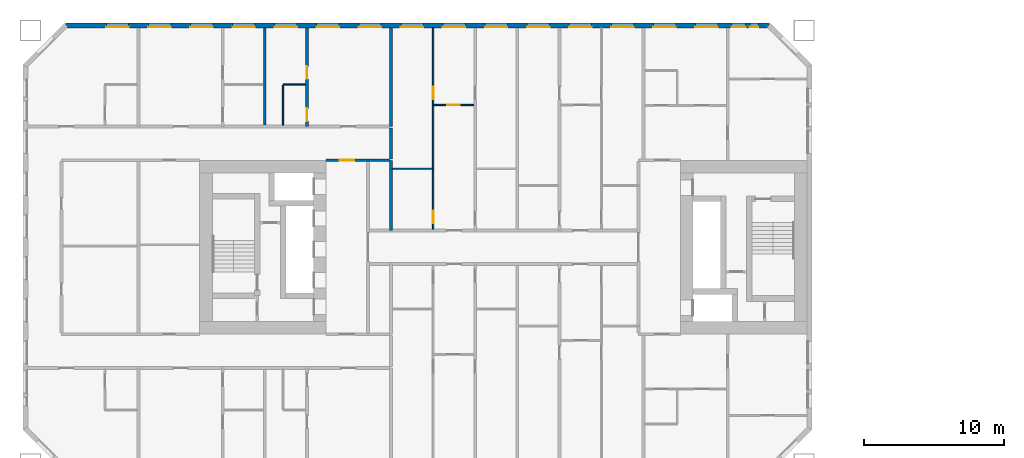
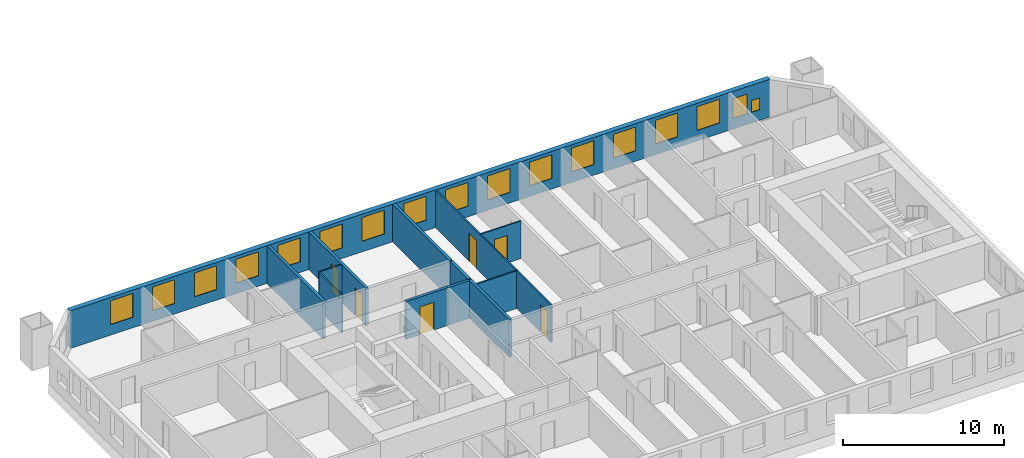
# One storey, part 5 of 16: 17 windows, 13 walls, 6 doors, 23 openings.
"""IFC4 building model written with IfcOpenShell, lengths in metres."""

from ifc_helpers import new_model, si_unit, direction, frame, frame_2d, origin, place, context, subcontext, project, spatial, rectangle, extrude, material, layer, layer_set, type_object, element, fill, save


model = new_model("IFC4")

# Units and contexts
model_context = context("Model", 3, precision=1e-05, world=origin(), true_north=direction((0.0, 1.0)))
body_context = subcontext(model_context, "Body", "Model", "MODEL_VIEW")
ifc_project = project(units=[si_unit("LENGTHUNIT", "METRE"), si_unit("AREAUNIT", "SQUARE_METRE"), si_unit("VOLUMEUNIT", "CUBIC_METRE"), si_unit("PLANEANGLEUNIT", "RADIAN"), si_unit("MASSUNIT", "GRAM", prefix="KILO")], contexts=[model_context])

# Site, building, storey
site_placement = place(None, origin())
site = spatial("IfcSite", under=ifc_project, at=site_placement, CompositionType="ELEMENT")
building_placement = place(site_placement, origin())
building = spatial("IfcBuilding", under=site, at=building_placement, Name="Tuart Gate Housing", CompositionType="ELEMENT")
storey_placement = place(building_placement, frame((0.0, 0.0, 19.5)))
storey = spatial("IfcBuildingStorey", under=building, at=storey_placement, Name="L04", CompositionType="ELEMENT", Elevation=19.5)

# Wall, openings, windows
ifc_material_1 = material(Name="Brick", Category="masonry")
ifc_layer_1 = layer(ifc_material_1, 0.360107421875)
ifc_layer_set_1 = layer_set([ifc_layer_1], Name="Brick pier and spandrel wall 360")
wall_type_1 = type_object("IfcWallType", Name="Brick pier and spandrel wall 360", PredefinedType="STANDARD", material=ifc_layer_set_1)
wall_1_placement = place(storey_placement, frame((72.92529296875, 85.820068359375, 0.0), z_axis=(0.0, 0.0, 1.0), x_axis=(-1.0, 0.0, 0.0)))
wall_1 = element("IfcWall", 1, at=wall_1_placement, inside=storey, type_object=wall_type_1, Name="External wall A-N L04", PredefinedType="STANDARD", context=body_context, shape_type="SweptSolid", body=[
    extrude(rectangle(XDim=50.100830078125, YDim=0.360107421875, at=frame_2d((25.05029296875, 0.0))), origin(), (0.0, 0.0, 1.0), 2.85009765625),
])
opening_1_placement = place(wall_1_placement, frame((0.75, 0.0, 0.800048828125)))
opening_1 = element("IfcOpeningElement", 2, at=opening_1_placement, cuts=wall_1, Name="Opening W1W", PredefinedType="OPENING", context=body_context, shape_type="SweptSolid", body=[
    extrude(rectangle(XDim=0.60009765625, YDim=0.89990234375, at=frame_2d((0.300048828125, 0.449951171875))), frame((0.0, 0.18994140625, 0.0), z_axis=(0.0, -1.0, 0.0), x_axis=(1.0, 0.0, 0.0)), (0.0, 0.0, 1.0), 0.380126953125),
])
opening_2_placement = place(wall_1_placement, frame((3.62548828125, 0.0, 0.800048828125)))
opening_2 = element("IfcOpeningElement", 3, at=opening_2_placement, cuts=wall_1, Name="Opening W1", PredefinedType="OPENING", context=body_context, shape_type="SweptSolid", body=[
    extrude(rectangle(XDim=1.60009765625, YDim=1.800048828125, at=frame_2d((0.800048828125, 0.89990234375))), frame((0.0, 0.18994140625, 0.0), z_axis=(0.0, -1.0, 0.0), x_axis=(1.0, 0.0, 0.0)), (0.0, 0.0, 1.0), 0.380126953125),
])
opening_3_placement = place(wall_1_placement, frame((6.62548828125, 0.0, 0.800048828125)))
opening_3 = element("IfcOpeningElement", 4, at=opening_3_placement, cuts=wall_1, Name="Opening W1", PredefinedType="OPENING", context=body_context, shape_type="SweptSolid", body=[
    extrude(rectangle(XDim=1.60009765625, YDim=1.800048828125, at=frame_2d((0.800048828125, 0.89990234375))), frame((0.0, 0.18994140625, 0.0), z_axis=(0.0, -1.0, 0.0), x_axis=(1.0, 0.0, 0.0)), (0.0, 0.0, 1.0), 0.380126953125),
])
opening_4_placement = place(wall_1_placement, frame((9.62548828125, 0.0, 0.800048828125)))
opening_4 = element("IfcOpeningElement", 5, at=opening_4_placement, cuts=wall_1, Name="Opening W1", PredefinedType="OPENING", context=body_context, shape_type="SweptSolid", body=[
    extrude(rectangle(XDim=1.60009765625, YDim=1.800048828125, at=frame_2d((0.800048828125, 0.89990234375))), frame((0.0, 0.18994140625, 0.0), z_axis=(0.0, -1.0, 0.0), x_axis=(1.0, 0.0, 0.0)), (0.0, 0.0, 1.0), 0.380126953125),
])
opening_5_placement = place(wall_1_placement, frame((12.62548828125, 0.0, 0.800048828125)))
opening_5 = element("IfcOpeningElement", 6, at=opening_5_placement, cuts=wall_1, Name="Opening W1", PredefinedType="OPENING", context=body_context, shape_type="SweptSolid", body=[
    extrude(rectangle(XDim=1.60009765625, YDim=1.800048828125, at=frame_2d((0.800048828125, 0.89990234375))), frame((0.0, 0.18994140625, 0.0), z_axis=(0.0, -1.0, 0.0), x_axis=(1.0, 0.0, 0.0)), (0.0, 0.0, 1.0), 0.380126953125),
])
opening_6_placement = place(wall_1_placement, frame((15.62548828125, 0.0, 0.800048828125)))
opening_6 = element("IfcOpeningElement", 7, at=opening_6_placement, cuts=wall_1, Name="Opening W1", PredefinedType="OPENING", context=body_context, shape_type="SweptSolid", body=[
    extrude(rectangle(XDim=1.60009765625, YDim=1.800048828125, at=frame_2d((0.800048828125, 0.89990234375))), frame((0.0, 0.18994140625, 0.0), z_axis=(0.0, -1.0, 0.0), x_axis=(1.0, 0.0, 0.0)), (0.0, 0.0, 1.0), 0.380126953125),
])
opening_7_placement = place(wall_1_placement, frame((18.62548828125, 0.0, 0.800048828125)))
opening_7 = element("IfcOpeningElement", 8, at=opening_7_placement, cuts=wall_1, Name="Opening W1", PredefinedType="OPENING", context=body_context, shape_type="SweptSolid", body=[
    extrude(rectangle(XDim=1.60009765625, YDim=1.800048828125, at=frame_2d((0.800048828125, 0.89990234375))), frame((0.0, 0.18994140625, 0.0), z_axis=(0.0, -1.0, 0.0), x_axis=(1.0, 0.0, 0.0)), (0.0, 0.0, 1.0), 0.380126953125),
])
opening_8_placement = place(wall_1_placement, frame((21.62548828125, 0.0, 0.800048828125)))
opening_8 = element("IfcOpeningElement", 9, at=opening_8_placement, cuts=wall_1, Name="Opening W1", PredefinedType="OPENING", context=body_context, shape_type="SweptSolid", body=[
    extrude(rectangle(XDim=1.60009765625, YDim=1.800048828125, at=frame_2d((0.800048828125, 0.89990234375))), frame((0.0, 0.18994140625, 0.0), z_axis=(0.0, -1.0, 0.0), x_axis=(1.0, 0.0, 0.0)), (0.0, 0.0, 1.0), 0.380126953125),
])
opening_9_placement = place(wall_1_placement, frame((24.62548828125, 0.0, 0.800048828125)))
opening_9 = element("IfcOpeningElement", 10, at=opening_9_placement, cuts=wall_1, Name="Opening W1", PredefinedType="OPENING", context=body_context, shape_type="SweptSolid", body=[
    extrude(rectangle(XDim=1.60009765625, YDim=1.800048828125, at=frame_2d((0.800048828125, 0.89990234375))), frame((0.0, 0.18994140625, 0.0), z_axis=(0.0, -1.0, 0.0), x_axis=(1.0, 0.0, 0.0)), (0.0, 0.0, 1.0), 0.380126953125),
])
opening_10_placement = place(wall_1_placement, frame((27.62548828125, 0.0, 0.800048828125)))
opening_10 = element("IfcOpeningElement", 11, at=opening_10_placement, cuts=wall_1, Name="Opening W1", PredefinedType="OPENING", context=body_context, shape_type="SweptSolid", body=[
    extrude(rectangle(XDim=1.60009765625, YDim=1.800048828125, at=frame_2d((0.800048828125, 0.89990234375))), frame((0.0, 0.18994140625, 0.0), z_axis=(0.0, -1.0, 0.0), x_axis=(1.0, 0.0, 0.0)), (0.0, 0.0, 1.0), 0.380126953125),
])
opening_11_placement = place(wall_1_placement, frame((30.62548828125, 0.0, 0.800048828125)))
opening_11 = element("IfcOpeningElement", 12, at=opening_11_placement, cuts=wall_1, Name="Opening W1", PredefinedType="OPENING", context=body_context, shape_type="SweptSolid", body=[
    extrude(rectangle(XDim=1.60009765625, YDim=1.800048828125, at=frame_2d((0.800048828125, 0.89990234375))), frame((0.0, 0.18994140625, 0.0), z_axis=(0.0, -1.0, 0.0), x_axis=(1.0, 0.0, 0.0)), (0.0, 0.0, 1.0), 0.380126953125),
])
opening_12_placement = place(wall_1_placement, frame((33.62548828125, 0.0, 0.800048828125)))
opening_12 = element("IfcOpeningElement", 13, at=opening_12_placement, cuts=wall_1, Name="Opening W1", PredefinedType="OPENING", context=body_context, shape_type="SweptSolid", body=[
    extrude(rectangle(XDim=1.60009765625, YDim=1.800048828125, at=frame_2d((0.800048828125, 0.89990234375))), frame((0.0, 0.18994140625, 0.0), z_axis=(0.0, -1.0, 0.0), x_axis=(1.0, 0.0, 0.0)), (0.0, 0.0, 1.0), 0.380126953125),
])
opening_13_placement = place(wall_1_placement, frame((36.62548828125, 0.0, 0.800048828125)))
opening_13 = element("IfcOpeningElement", 14, at=opening_13_placement, cuts=wall_1, Name="Opening W1", PredefinedType="OPENING", context=body_context, shape_type="SweptSolid", body=[
    extrude(rectangle(XDim=1.60009765625, YDim=1.800048828125, at=frame_2d((0.800048828125, 0.89990234375))), frame((0.0, 0.18994140625, 0.0), z_axis=(0.0, -1.0, 0.0), x_axis=(1.0, 0.0, 0.0)), (0.0, 0.0, 1.0), 0.380126953125),
])
opening_14_placement = place(wall_1_placement, frame((39.62548828125, 0.0, 0.800048828125)))
opening_14 = element("IfcOpeningElement", 15, at=opening_14_placement, cuts=wall_1, Name="Opening W1", PredefinedType="OPENING", context=body_context, shape_type="SweptSolid", body=[
    extrude(rectangle(XDim=1.60009765625, YDim=1.800048828125, at=frame_2d((0.800048828125, 0.89990234375))), frame((0.0, 0.18994140625, 0.0), z_axis=(0.0, -1.0, 0.0), x_axis=(1.0, 0.0, 0.0)), (0.0, 0.0, 1.0), 0.380126953125),
])
opening_15_placement = place(wall_1_placement, frame((42.62548828125, 0.0, 0.800048828125)))
opening_15 = element("IfcOpeningElement", 16, at=opening_15_placement, cuts=wall_1, Name="Opening W1", PredefinedType="OPENING", context=body_context, shape_type="SweptSolid", body=[
    extrude(rectangle(XDim=1.60009765625, YDim=1.800048828125, at=frame_2d((0.800048828125, 0.89990234375))), frame((0.0, 0.18994140625, 0.0), z_axis=(0.0, -1.0, 0.0), x_axis=(1.0, 0.0, 0.0)), (0.0, 0.0, 1.0), 0.380126953125),
])
opening_16_placement = place(wall_1_placement, frame((45.62548828125, 0.0, 0.800048828125)))
opening_16 = element("IfcOpeningElement", 17, at=opening_16_placement, cuts=wall_1, Name="Opening W1", PredefinedType="OPENING", context=body_context, shape_type="SweptSolid", body=[
    extrude(rectangle(XDim=1.60009765625, YDim=1.800048828125, at=frame_2d((0.800048828125, 0.89990234375))), frame((0.0, 0.18994140625, 0.0), z_axis=(0.0, -1.0, 0.0), x_axis=(1.0, 0.0, 0.0)), (0.0, 0.0, 1.0), 0.380126953125),
])
opening_17_placement = place(wall_1_placement, frame((1.64990234375, 0.0, 0.800048828125)))
opening_17 = element("IfcOpeningElement", 18, at=opening_17_placement, cuts=wall_1, Name="Opening W1I", PredefinedType="OPENING", context=body_context, shape_type="SweptSolid", body=[
    extrude(rectangle(XDim=1.0, YDim=1.5, at=frame_2d((0.5, 0.75))), frame((0.0, 0.18994140625, 0.0), z_axis=(0.0, -1.0, 0.0), x_axis=(1.0, 0.0, 0.0)), (0.0, 0.0, 1.0), 0.380126953125),
])
ifc_material_2 = material(Name="Aluminium frame with clear glass", Category="aluminium")
window_type_1 = type_object("IfcWindowType", Name="Punched window 1000 x 1500", PartitioningType="SINGLE_PANEL", PredefinedType="WINDOW", material=ifc_material_2)
window_1_placement = place(opening_17_placement, origin())
window_1 = element("IfcWindow", 19, at=window_1_placement, inside=storey, type_object=window_type_1, Name="Window W1I", OverallHeight=1.5, OverallWidth=1.0, PartitioningType="SINGLE_PANEL", PredefinedType="WINDOW", context=body_context, shape_type="SweptSolid", body=[
    extrude(rectangle(XDim=1.0, YDim=1.5, at=frame_2d((0.5, 0.75))), frame((0.0, 0.150146484375, 0.0), z_axis=(0.0, -1.0, 0.0), x_axis=(1.0, 0.0, 0.0)), (0.0, 0.0, 1.0), 0.06005859375),
])
fill(opening_17, window_1)
ifc_material_3 = material(Name="Aluminium frame with clear glass", Category="aluminium")
window_type_2 = type_object("IfcWindowType", Name="Punched window 1600 x 1800", PartitioningType="SINGLE_PANEL", PredefinedType="WINDOW", material=ifc_material_3)
window_2_placement = place(opening_2_placement, origin())
window_2 = element("IfcWindow", 20, at=window_2_placement, inside=storey, type_object=window_type_2, Name="Window W1", OverallHeight=1.800048828125, OverallWidth=1.60009765625, PartitioningType="SINGLE_PANEL", PredefinedType="WINDOW", context=body_context, shape_type="SweptSolid", body=[
    extrude(rectangle(XDim=1.60009765625, YDim=1.800048828125, at=frame_2d((0.800048828125, 0.89990234375))), frame((0.0, 0.150146484375, 0.0), z_axis=(0.0, -1.0, 0.0), x_axis=(1.0, 0.0, 0.0)), (0.0, 0.0, 1.0), 0.06005859375),
])
fill(opening_2, window_2)
window_3_placement = place(opening_3_placement, origin())
window_3 = element("IfcWindow", 21, at=window_3_placement, inside=storey, type_object=window_type_2, Name="Window W1", OverallHeight=1.800048828125, OverallWidth=1.60009765625, PartitioningType="SINGLE_PANEL", PredefinedType="WINDOW", context=body_context, shape_type="SweptSolid", body=[
    extrude(rectangle(XDim=1.60009765625, YDim=1.800048828125, at=frame_2d((0.800048828125, 0.89990234375))), frame((0.0, 0.150146484375, 0.0), z_axis=(0.0, -1.0, 0.0), x_axis=(1.0, 0.0, 0.0)), (0.0, 0.0, 1.0), 0.06005859375),
])
fill(opening_3, window_3)
window_4_placement = place(opening_4_placement, origin())
window_4 = element("IfcWindow", 22, at=window_4_placement, inside=storey, type_object=window_type_2, Name="Window W1", OverallHeight=1.800048828125, OverallWidth=1.60009765625, PartitioningType="SINGLE_PANEL", PredefinedType="WINDOW", context=body_context, shape_type="SweptSolid", body=[
    extrude(rectangle(XDim=1.60009765625, YDim=1.800048828125, at=frame_2d((0.800048828125, 0.89990234375))), frame((0.0, 0.150146484375, 0.0), z_axis=(0.0, -1.0, 0.0), x_axis=(1.0, 0.0, 0.0)), (0.0, 0.0, 1.0), 0.06005859375),
])
fill(opening_4, window_4)
window_5_placement = place(opening_5_placement, origin())
window_5 = element("IfcWindow", 23, at=window_5_placement, inside=storey, type_object=window_type_2, Name="Window W1", OverallHeight=1.800048828125, OverallWidth=1.60009765625, PartitioningType="SINGLE_PANEL", PredefinedType="WINDOW", context=body_context, shape_type="SweptSolid", body=[
    extrude(rectangle(XDim=1.60009765625, YDim=1.800048828125, at=frame_2d((0.800048828125, 0.89990234375))), frame((0.0, 0.150146484375, 0.0), z_axis=(0.0, -1.0, 0.0), x_axis=(1.0, 0.0, 0.0)), (0.0, 0.0, 1.0), 0.06005859375),
])
fill(opening_5, window_5)
window_6_placement = place(opening_6_placement, origin())
window_6 = element("IfcWindow", 24, at=window_6_placement, inside=storey, type_object=window_type_2, Name="Window W1", OverallHeight=1.800048828125, OverallWidth=1.60009765625, PartitioningType="SINGLE_PANEL", PredefinedType="WINDOW", context=body_context, shape_type="SweptSolid", body=[
    extrude(rectangle(XDim=1.60009765625, YDim=1.800048828125, at=frame_2d((0.800048828125, 0.89990234375))), frame((0.0, 0.150146484375, 0.0), z_axis=(0.0, -1.0, 0.0), x_axis=(1.0, 0.0, 0.0)), (0.0, 0.0, 1.0), 0.06005859375),
])
fill(opening_6, window_6)
window_7_placement = place(opening_7_placement, origin())
window_7 = element("IfcWindow", 25, at=window_7_placement, inside=storey, type_object=window_type_2, Name="Window W1", OverallHeight=1.800048828125, OverallWidth=1.60009765625, PartitioningType="SINGLE_PANEL", PredefinedType="WINDOW", context=body_context, shape_type="SweptSolid", body=[
    extrude(rectangle(XDim=1.60009765625, YDim=1.800048828125, at=frame_2d((0.800048828125, 0.89990234375))), frame((0.0, 0.150146484375, 0.0), z_axis=(0.0, -1.0, 0.0), x_axis=(1.0, 0.0, 0.0)), (0.0, 0.0, 1.0), 0.06005859375),
])
fill(opening_7, window_7)
window_8_placement = place(opening_8_placement, origin())
window_8 = element("IfcWindow", 26, at=window_8_placement, inside=storey, type_object=window_type_2, Name="Window W1", OverallHeight=1.800048828125, OverallWidth=1.60009765625, PartitioningType="SINGLE_PANEL", PredefinedType="WINDOW", context=body_context, shape_type="SweptSolid", body=[
    extrude(rectangle(XDim=1.60009765625, YDim=1.800048828125, at=frame_2d((0.800048828125, 0.89990234375))), frame((0.0, 0.150146484375, 0.0), z_axis=(0.0, -1.0, 0.0), x_axis=(1.0, 0.0, 0.0)), (0.0, 0.0, 1.0), 0.06005859375),
])
fill(opening_8, window_8)
window_9_placement = place(opening_9_placement, origin())
window_9 = element("IfcWindow", 27, at=window_9_placement, inside=storey, type_object=window_type_2, Name="Window W1", OverallHeight=1.800048828125, OverallWidth=1.60009765625, PartitioningType="SINGLE_PANEL", PredefinedType="WINDOW", context=body_context, shape_type="SweptSolid", body=[
    extrude(rectangle(XDim=1.60009765625, YDim=1.800048828125, at=frame_2d((0.800048828125, 0.89990234375))), frame((0.0, 0.150146484375, 0.0), z_axis=(0.0, -1.0, 0.0), x_axis=(1.0, 0.0, 0.0)), (0.0, 0.0, 1.0), 0.06005859375),
])
fill(opening_9, window_9)
window_10_placement = place(opening_10_placement, origin())
window_10 = element("IfcWindow", 28, at=window_10_placement, inside=storey, type_object=window_type_2, Name="Window W1", OverallHeight=1.800048828125, OverallWidth=1.60009765625, PartitioningType="SINGLE_PANEL", PredefinedType="WINDOW", context=body_context, shape_type="SweptSolid", body=[
    extrude(rectangle(XDim=1.60009765625, YDim=1.800048828125, at=frame_2d((0.800048828125, 0.89990234375))), frame((0.0, 0.150146484375, 0.0), z_axis=(0.0, -1.0, 0.0), x_axis=(1.0, 0.0, 0.0)), (0.0, 0.0, 1.0), 0.06005859375),
])
fill(opening_10, window_10)
window_11_placement = place(opening_11_placement, origin())
window_11 = element("IfcWindow", 29, at=window_11_placement, inside=storey, type_object=window_type_2, Name="Window W1", OverallHeight=1.800048828125, OverallWidth=1.60009765625, PartitioningType="SINGLE_PANEL", PredefinedType="WINDOW", context=body_context, shape_type="SweptSolid", body=[
    extrude(rectangle(XDim=1.60009765625, YDim=1.800048828125, at=frame_2d((0.800048828125, 0.89990234375))), frame((0.0, 0.150146484375, 0.0), z_axis=(0.0, -1.0, 0.0), x_axis=(1.0, 0.0, 0.0)), (0.0, 0.0, 1.0), 0.06005859375),
])
fill(opening_11, window_11)
window_12_placement = place(opening_12_placement, origin())
window_12 = element("IfcWindow", 30, at=window_12_placement, inside=storey, type_object=window_type_2, Name="Window W1", OverallHeight=1.800048828125, OverallWidth=1.60009765625, PartitioningType="SINGLE_PANEL", PredefinedType="WINDOW", context=body_context, shape_type="SweptSolid", body=[
    extrude(rectangle(XDim=1.60009765625, YDim=1.800048828125, at=frame_2d((0.800048828125, 0.89990234375))), frame((0.0, 0.150146484375, 0.0), z_axis=(0.0, -1.0, 0.0), x_axis=(1.0, 0.0, 0.0)), (0.0, 0.0, 1.0), 0.06005859375),
])
fill(opening_12, window_12)
window_13_placement = place(opening_13_placement, origin())
window_13 = element("IfcWindow", 31, at=window_13_placement, inside=storey, type_object=window_type_2, Name="Window W1", OverallHeight=1.800048828125, OverallWidth=1.60009765625, PartitioningType="SINGLE_PANEL", PredefinedType="WINDOW", context=body_context, shape_type="SweptSolid", body=[
    extrude(rectangle(XDim=1.60009765625, YDim=1.800048828125, at=frame_2d((0.800048828125, 0.89990234375))), frame((0.0, 0.150146484375, 0.0), z_axis=(0.0, -1.0, 0.0), x_axis=(1.0, 0.0, 0.0)), (0.0, 0.0, 1.0), 0.06005859375),
])
fill(opening_13, window_13)
window_14_placement = place(opening_14_placement, origin())
window_14 = element("IfcWindow", 32, at=window_14_placement, inside=storey, type_object=window_type_2, Name="Window W1", OverallHeight=1.800048828125, OverallWidth=1.60009765625, PartitioningType="SINGLE_PANEL", PredefinedType="WINDOW", context=body_context, shape_type="SweptSolid", body=[
    extrude(rectangle(XDim=1.60009765625, YDim=1.800048828125, at=frame_2d((0.800048828125, 0.89990234375))), frame((0.0, 0.150146484375, 0.0), z_axis=(0.0, -1.0, 0.0), x_axis=(1.0, 0.0, 0.0)), (0.0, 0.0, 1.0), 0.06005859375),
])
fill(opening_14, window_14)
window_15_placement = place(opening_15_placement, origin())
window_15 = element("IfcWindow", 33, at=window_15_placement, inside=storey, type_object=window_type_2, Name="Window W1", OverallHeight=1.800048828125, OverallWidth=1.60009765625, PartitioningType="SINGLE_PANEL", PredefinedType="WINDOW", context=body_context, shape_type="SweptSolid", body=[
    extrude(rectangle(XDim=1.60009765625, YDim=1.800048828125, at=frame_2d((0.800048828125, 0.89990234375))), frame((0.0, 0.150146484375, 0.0), z_axis=(0.0, -1.0, 0.0), x_axis=(1.0, 0.0, 0.0)), (0.0, 0.0, 1.0), 0.06005859375),
])
fill(opening_15, window_15)
window_16_placement = place(opening_16_placement, origin())
window_16 = element("IfcWindow", 34, at=window_16_placement, inside=storey, type_object=window_type_2, Name="Window W1", OverallHeight=1.800048828125, OverallWidth=1.60009765625, PartitioningType="SINGLE_PANEL", PredefinedType="WINDOW", context=body_context, shape_type="SweptSolid", body=[
    extrude(rectangle(XDim=1.60009765625, YDim=1.800048828125, at=frame_2d((0.800048828125, 0.89990234375))), frame((0.0, 0.150146484375, 0.0), z_axis=(0.0, -1.0, 0.0), x_axis=(1.0, 0.0, 0.0)), (0.0, 0.0, 1.0), 0.06005859375),
])
fill(opening_16, window_16)
ifc_material_4 = material(Name="Aluminium frame with clear glass", Category="aluminium")
window_type_3 = type_object("IfcWindowType", Name="Punched window 600 x 900", PartitioningType="SINGLE_PANEL", PredefinedType="WINDOW", material=ifc_material_4)
window_17_placement = place(opening_1_placement, origin())
window_17 = element("IfcWindow", 35, at=window_17_placement, inside=storey, type_object=window_type_3, Name="Window W1W", OverallHeight=0.89990234375, OverallWidth=0.60009765625, PartitioningType="SINGLE_PANEL", PredefinedType="WINDOW", context=body_context, shape_type="SweptSolid", body=[
    extrude(rectangle(XDim=0.60009765625, YDim=0.89990234375, at=frame_2d((0.300048828125, 0.449951171875))), frame((0.0, 0.150146484375, 0.0), z_axis=(0.0, -1.0, 0.0), x_axis=(1.0, 0.0, 0.0)), (0.0, 0.0, 1.0), 0.06005859375),
])
fill(opening_1, window_17)

# Walls
ifc_material_5 = material(Name="Concrete masonry 15 MPa", Category="masonry")
ifc_layer_2 = layer(ifc_material_5, 0.199951171875)
ifc_layer_set_2 = layer_set([ifc_layer_2], Name="Corridor wall masonry 200")
wall_type_2 = type_object("IfcWallType", Name="Corridor wall masonry 200", PredefinedType="PARTITIONING", material=ifc_layer_set_2)
wall_2_placement = place(storey_placement, frame((44.360107421875, 76.199951171875, 0.0), z_axis=(0.0, 0.0, 1.0), x_axis=(1.0, 0.0, 0.0)))
element("IfcWall", 36, at=wall_2_placement, inside=storey, type_object=wall_type_2, Name="Corridor wall masonry 200", PredefinedType="PARTITIONING", context=body_context, shape_type="SweptSolid", body=[
    extrude(rectangle(XDim=1.539794921875, YDim=0.199951171875, at=frame_2d((0.77001953125, 0.0))), origin(), (0.0, 0.0, 1.0), 2.85009765625),
])
wall_3_placement = place(storey_placement, frame((46.0, 76.300048828125, 0.0), z_axis=(0.0, 0.0, 1.0), x_axis=(0.0, 1.0, 0.0)))
element("IfcWall", 37, at=wall_3_placement, inside=storey, type_object=wall_type_2, Name="Corridor wall masonry 200", PredefinedType="PARTITIONING", context=body_context, shape_type="SweptSolid", body=[
    extrude(rectangle(XDim=2.199951171875, YDim=0.199951171875, at=frame_2d((1.10009765625, 0.0))), origin(), (0.0, 0.0, 1.0), 2.85009765625),
])

# Wall, opening, door
ifc_material_6 = material(Name="Concrete masonry 15 MPa", Category="masonry")
ifc_layer_3 = layer(ifc_material_6, 0.199951171875)
ifc_layer_set_3 = layer_set([ifc_layer_3], Name="Enclosure wall masonry 200")
wall_type_3 = type_object("IfcWallType", Name="Enclosure wall masonry 200", PredefinedType="PARTITIONING", material=ifc_layer_set_3)
wall_4_placement = place(storey_placement, frame((41.360107421875, 76.199951171875, 0.0), z_axis=(0.0, 0.0, 1.0), x_axis=(1.0, 0.0, 0.0)))
wall_4 = element("IfcWall", 38, at=wall_4_placement, inside=storey, type_object=wall_type_3, Name="Enclosure wall masonry 200", PredefinedType="PARTITIONING", context=body_context, shape_type="SweptSolid", body=[
    extrude(rectangle(XDim=3.0, YDim=0.199951171875, at=frame_2d((1.5, 0.0))), origin(), (0.0, 0.0, 1.0), 2.85009765625),
])
opening_18_placement = place(wall_4_placement, frame((1.0, 0.0, 0.0)))
opening_18 = element("IfcOpeningElement", 39, at=opening_18_placement, cuts=wall_4, Name="Opening D366", PredefinedType="OPENING", context=body_context, shape_type="SweptSolid", body=[
    extrude(rectangle(XDim=1.0, YDim=2.10009765625, at=frame_2d((0.5, 1.050048828125))), frame((0.0, 0.10986328125, 0.0), z_axis=(0.0, -1.0, 0.0), x_axis=(1.0, 0.0, 0.0)), (0.0, 0.0, 1.0), 0.219970703125),
])
ifc_material_7 = material(Name="Timber door leaf in steel frame", Category="steel")
door_type_1 = type_object("IfcDoorType", Name="Fire door 1000 RH", OperationType="SINGLE_SWING_RIGHT", PredefinedType="DOOR", material=ifc_material_7)
door_1_placement = place(opening_18_placement, origin())
door_1 = element("IfcDoor", 40, at=door_1_placement, inside=storey, type_object=door_type_1, Name="Fire door", OperationType="SINGLE_SWING_RIGHT", OverallHeight=2.10009765625, OverallWidth=1.0, PredefinedType="DOOR", context=body_context, shape_type="SweptSolid", body=[
    extrude(rectangle(XDim=1.0, YDim=2.10009765625, at=frame_2d((0.5, 1.050048828125))), frame((0.0, 0.02490234375, 0.0), z_axis=(0.0, -1.0, 0.0), x_axis=(1.0, 0.0, 0.0)), (0.0, 0.0, 1.0), 0.050048828125),
])
fill(opening_18, door_1)

# Wall
ifc_material_8 = material(Name="Gypsum board on steel studs", Category="steel")
ifc_layer_4 = layer(ifc_material_8, 0.10009765625)
ifc_layer_set_4 = layer_set([ifc_layer_4], Name="Partition 100")
wall_type_4 = type_object("IfcWallType", Name="Partition 100", PredefinedType="PARTITIONING", material=ifc_layer_set_4)
wall_5_placement = place(storey_placement, frame((46.10009765625, 75.60009765625, 0.0), z_axis=(0.0, 0.0, 1.0), x_axis=(1.0, 0.0, 0.0)))
element("IfcWall", 41, at=wall_5_placement, inside=storey, type_object=wall_type_4, Name="Partition 100", PredefinedType="PARTITIONING", context=body_context, shape_type="SweptSolid", body=[
    extrude(rectangle(XDim=2.89990234375, YDim=0.10009765625, at=frame_2d((1.449951171875, 0.0))), origin(), (0.0, 0.0, 1.0), 2.85009765625),
])

# Wall, opening, door
wall_6_placement = place(storey_placement, frame((49.0, 80.139892578125, 0.0), z_axis=(0.0, 0.0, 1.0), x_axis=(1.0, 0.0, 0.0)))
wall_6 = element("IfcWall", 42, at=wall_6_placement, inside=storey, type_object=wall_type_4, Name="Partition 100", PredefinedType="PARTITIONING", context=body_context, shape_type="SweptSolid", body=[
    extrude(rectangle(XDim=2.89990234375, YDim=0.10009765625, at=frame_2d((1.449951171875, 0.0))), origin(), (0.0, 0.0, 1.0), 2.85009765625),
])
opening_19_placement = place(wall_6_placement, frame((1.0, 0.0, 0.0)))
opening_19 = element("IfcOpeningElement", 43, at=opening_19_placement, cuts=wall_6, Name="Opening D349", PredefinedType="OPENING", context=body_context, shape_type="SweptSolid", body=[
    extrude(rectangle(XDim=0.89990234375, YDim=2.10009765625, at=frame_2d((0.449951171875, 1.050048828125))), frame((0.0, 0.06005859375, 0.0), z_axis=(0.0, -1.0, 0.0), x_axis=(1.0, 0.0, 0.0)), (0.0, 0.0, 1.0), 0.1201171875),
])
ifc_material_9 = material(Name="Timber door leaf in steel frame", Category="steel")
door_type_2 = type_object("IfcDoorType", Name="Internal door 900 RH", OperationType="SINGLE_SWING_RIGHT", PredefinedType="DOOR", material=ifc_material_9)
door_2_placement = place(opening_19_placement, frame((0.89990234375, 0.0, 0.0), z_axis=(0.0, 0.0, 1.0), x_axis=(-1.0, 0.0, 0.0)))
door_2 = element("IfcDoor", 44, at=door_2_placement, inside=storey, type_object=door_type_2, Name="Internal door", OperationType="SINGLE_SWING_RIGHT", OverallHeight=2.10009765625, OverallWidth=0.89990234375, PredefinedType="DOOR", context=body_context, shape_type="SweptSolid", body=[
    extrude(rectangle(XDim=0.89990234375, YDim=2.10009765625, at=frame_2d((0.449951171875, 1.050048828125))), frame((0.0, 0.025146484375, 0.0), z_axis=(0.0, -1.0, 0.0), x_axis=(1.0, 0.0, 0.0)), (0.0, 0.0, 1.0), 0.050048828125),
])
fill(opening_19, door_2)

# Walls
wall_7_placement = place(storey_placement, frame((38.300048828125, 81.60009765625, 0.0), z_axis=(0.0, 0.0, 1.0), x_axis=(1.0, 0.0, 0.0)))
element("IfcWall", 45, at=wall_7_placement, inside=storey, type_object=wall_type_4, Name="Partition 100", PredefinedType="PARTITIONING", context=body_context, shape_type="SweptSolid", body=[
    extrude(rectangle(XDim=1.599853515625, YDim=0.10009765625, at=frame_2d((0.7998046875, 0.0))), origin(), (0.0, 0.0, 1.0), 2.85009765625),
])
wall_8_placement = place(storey_placement, frame((38.300048828125, 78.699951171875, 0.0), z_axis=(0.0, 0.0, 1.0), x_axis=(0.0, 1.0, 0.0)))
element("IfcWall", 46, at=wall_8_placement, inside=storey, type_object=wall_type_4, Name="Partition 100", PredefinedType="PARTITIONING", context=body_context, shape_type="SweptSolid", body=[
    extrude(rectangle(XDim=2.85009765625, YDim=0.10009765625, at=frame_2d((1.425048828125, 0.0))), origin(), (0.0, 0.0, 1.0), 2.85009765625),
])

# Wall, openings, doors
wall_9_placement = place(storey_placement, frame((49.0, 71.300048828125, 0.0), z_axis=(0.0, 0.0, 1.0), x_axis=(0.0, 1.0, 0.0)))
wall_9 = element("IfcWall", 47, at=wall_9_placement, inside=storey, type_object=wall_type_4, Name="Partition 100", PredefinedType="PARTITIONING", context=body_context, shape_type="SweptSolid", body=[
    extrude(rectangle(XDim=14.33984375, YDim=0.10009765625, at=frame_2d((7.169921875, 0.0))), origin(), (0.0, 0.0, 1.0), 2.85009765625),
])
opening_20_placement = place(wall_9_placement, frame((9.239990234375, 0.0, 0.0)))
opening_20 = element("IfcOpeningElement", 48, at=opening_20_placement, cuts=wall_9, Name="Opening D358", PredefinedType="OPENING", context=body_context, shape_type="SweptSolid", body=[
    extrude(rectangle(XDim=0.89990234375, YDim=2.10009765625, at=frame_2d((0.449951171875, 1.050048828125))), frame((0.0, 0.06005859375, 0.0), z_axis=(0.0, -1.0, 0.0), x_axis=(1.0, 0.0, 0.0)), (0.0, 0.0, 1.0), 0.1201171875),
])
opening_21_placement = place(wall_9_placement, frame((0.39990234375, 0.0, 0.0)))
opening_21 = element("IfcOpeningElement", 49, at=opening_21_placement, cuts=wall_9, Name="Opening D357", PredefinedType="OPENING", context=body_context, shape_type="SweptSolid", body=[
    extrude(rectangle(XDim=0.89990234375, YDim=2.10009765625, at=frame_2d((0.449951171875, 1.050048828125))), frame((0.0, 0.06005859375, 0.0), z_axis=(0.0, -1.0, 0.0), x_axis=(1.0, 0.0, 0.0)), (0.0, 0.0, 1.0), 0.1201171875),
])
ifc_material_10 = material(Name="Timber door leaf in steel frame", Category="steel")
door_type_3 = type_object("IfcDoorType", Name="Bathroom door 900", OperationType="SINGLE_SWING_LEFT", PredefinedType="DOOR", material=ifc_material_10)
door_3_placement = place(opening_21_placement, origin())
door_3 = element("IfcDoor", 50, at=door_3_placement, inside=storey, type_object=door_type_3, Name="Bathroom door", OperationType="SINGLE_SWING_LEFT", OverallHeight=2.10009765625, OverallWidth=0.89990234375, PredefinedType="DOOR", context=body_context, shape_type="SweptSolid", body=[
    extrude(rectangle(XDim=0.89990234375, YDim=2.10009765625, at=frame_2d((0.449951171875, 1.050048828125))), frame((0.0, 0.02490234375, 0.0), z_axis=(0.0, -1.0, 0.0), x_axis=(1.0, 0.0, 0.0)), (0.0, 0.0, 1.0), 0.050048828125),
])
fill(opening_21, door_3)
door_4_placement = place(opening_20_placement, origin())
door_4 = element("IfcDoor", 51, at=door_4_placement, inside=storey, type_object=door_type_2, Name="Internal door", OperationType="SINGLE_SWING_RIGHT", OverallHeight=2.10009765625, OverallWidth=0.89990234375, PredefinedType="DOOR", context=body_context, shape_type="SweptSolid", body=[
    extrude(rectangle(XDim=0.89990234375, YDim=2.10009765625, at=frame_2d((0.449951171875, 1.050048828125))), frame((0.0, 0.02490234375, 0.0), z_axis=(0.0, -1.0, 0.0), x_axis=(1.0, 0.0, 0.0)), (0.0, 0.0, 1.0), 0.050048828125),
])
fill(opening_20, door_4)

ifc_material_11 = material(Name="Concrete C40", Category="concrete")
ifc_layer_5 = layer(ifc_material_11, 0.199951171875)
ifc_layer_set_5 = layer_set([ifc_layer_5], Name="Party wall concrete C40 200")
wall_type_5 = type_object("IfcWallType", Name="Party wall concrete C40 200", PredefinedType="SOLIDWALL", material=ifc_layer_set_5)
wall_10_placement = place(storey_placement, frame((40.0, 78.60009765625, 0.0), z_axis=(0.0, 0.0, 1.0), x_axis=(0.0, 1.0, 0.0)))
wall_10 = element("IfcWall", 52, at=wall_10_placement, inside=storey, type_object=wall_type_5, Name="Party wall concrete C40 200", PredefinedType="SOLIDWALL", context=body_context, shape_type="SweptSolid", body=[
    extrude(rectangle(XDim=7.039794921875, YDim=0.199951171875, at=frame_2d((3.52001953125, 0.0))), origin(), (0.0, 0.0, 1.0), 2.85009765625),
])
opening_22_placement = place(wall_10_placement, frame((3.39990234375, 0.0, 0.0)))
opening_22 = element("IfcOpeningElement", 53, at=opening_22_placement, cuts=wall_10, Name="Opening D346", PredefinedType="OPENING", context=body_context, shape_type="SweptSolid", body=[
    extrude(rectangle(XDim=0.89990234375, YDim=2.10009765625, at=frame_2d((0.449951171875, 1.050048828125))), frame((0.0, 0.10986328125, 0.0), z_axis=(0.0, -1.0, 0.0), x_axis=(1.0, 0.0, 0.0)), (0.0, 0.0, 1.0), 0.219970703125),
])
opening_23_placement = place(wall_10_placement, frame((0.39990234375, 0.0, 0.0)))
opening_23 = element("IfcOpeningElement", 54, at=opening_23_placement, cuts=wall_10, Name="Opening D345", PredefinedType="OPENING", context=body_context, shape_type="SweptSolid", body=[
    extrude(rectangle(XDim=0.89990234375, YDim=2.10009765625, at=frame_2d((0.449951171875, 1.050048828125))), frame((0.0, 0.10986328125, 0.0), z_axis=(0.0, -1.0, 0.0), x_axis=(1.0, 0.0, 0.0)), (0.0, 0.0, 1.0), 0.219970703125),
])
door_5_placement = place(opening_23_placement, origin())
door_5 = element("IfcDoor", 55, at=door_5_placement, inside=storey, type_object=door_type_3, Name="Bathroom door", OperationType="SINGLE_SWING_LEFT", OverallHeight=2.10009765625, OverallWidth=0.89990234375, PredefinedType="DOOR", context=body_context, shape_type="SweptSolid", body=[
    extrude(rectangle(XDim=0.89990234375, YDim=2.10009765625, at=frame_2d((0.449951171875, 1.050048828125))), frame((0.0, 0.02490234375, 0.0), z_axis=(0.0, -1.0, 0.0), x_axis=(1.0, 0.0, 0.0)), (0.0, 0.0, 1.0), 0.050048828125),
])
fill(opening_23, door_5)
ifc_material_12 = material(Name="Timber door leaf in steel frame", Category="steel")
door_type_4 = type_object("IfcDoorType", Name="Internal door 900", OperationType="SINGLE_SWING_LEFT", PredefinedType="DOOR", material=ifc_material_12)
door_6_placement = place(opening_22_placement, origin())
door_6 = element("IfcDoor", 56, at=door_6_placement, inside=storey, type_object=door_type_4, Name="Internal door", OperationType="SINGLE_SWING_LEFT", OverallHeight=2.10009765625, OverallWidth=0.89990234375, PredefinedType="DOOR", context=body_context, shape_type="SweptSolid", body=[
    extrude(rectangle(XDim=0.89990234375, YDim=2.10009765625, at=frame_2d((0.449951171875, 1.050048828125))), frame((0.0, 0.02490234375, 0.0), z_axis=(0.0, -1.0, 0.0), x_axis=(1.0, 0.0, 0.0)), (0.0, 0.0, 1.0), 0.050048828125),
])
fill(opening_22, door_6)

# Walls
wall_11_placement = place(storey_placement, frame((46.0, 71.199951171875, 0.0), z_axis=(0.0, 0.0, 1.0), x_axis=(0.0, 1.0, 0.0)))
element("IfcWall", 57, at=wall_11_placement, inside=storey, type_object=wall_type_5, Name="Party wall concrete C40 200", PredefinedType="SOLIDWALL", context=body_context, shape_type="SweptSolid", body=[
    extrude(rectangle(XDim=5.0, YDim=0.199951171875, at=frame_2d((2.5, 0.0))), origin(), (0.0, 0.0, 1.0), 2.85009765625),
])
wall_12_placement = place(storey_placement, frame((46.0, 78.60009765625, 0.0), z_axis=(0.0, 0.0, 1.0), x_axis=(0.0, 1.0, 0.0)))
element("IfcWall", 58, at=wall_12_placement, inside=storey, type_object=wall_type_5, Name="Party wall concrete C40 200", PredefinedType="SOLIDWALL", context=body_context, shape_type="SweptSolid", body=[
    extrude(rectangle(XDim=7.039794921875, YDim=0.199951171875, at=frame_2d((3.52001953125, 0.0))), origin(), (0.0, 0.0, 1.0), 2.85009765625),
])
ifc_material_13 = material(Name="Concrete masonry 15 MPa", Category="masonry")
ifc_layer_6 = layer(ifc_material_13, 0.199951171875)
ifc_layer_set_6 = layer_set([ifc_layer_6], Name="Party wall masonry 200")
wall_type_6 = type_object("IfcWallType", Name="Party wall masonry 200", PredefinedType="PARTITIONING", material=ifc_layer_set_6)
wall_13_placement = place(storey_placement, frame((37.0, 78.699951171875, 0.0), z_axis=(0.0, 0.0, 1.0), x_axis=(0.0, 1.0, 0.0)))
element("IfcWall", 59, at=wall_13_placement, inside=storey, type_object=wall_type_6, Name="Party wall masonry 200", PredefinedType="PARTITIONING", context=body_context, shape_type="SweptSolid", body=[
    extrude(rectangle(XDim=6.93994140625, YDim=0.199951171875, at=frame_2d((3.469970703125, 0.0))), origin(), (0.0, 0.0, 1.0), 2.85009765625),
])

save(model, "model.ifc")
